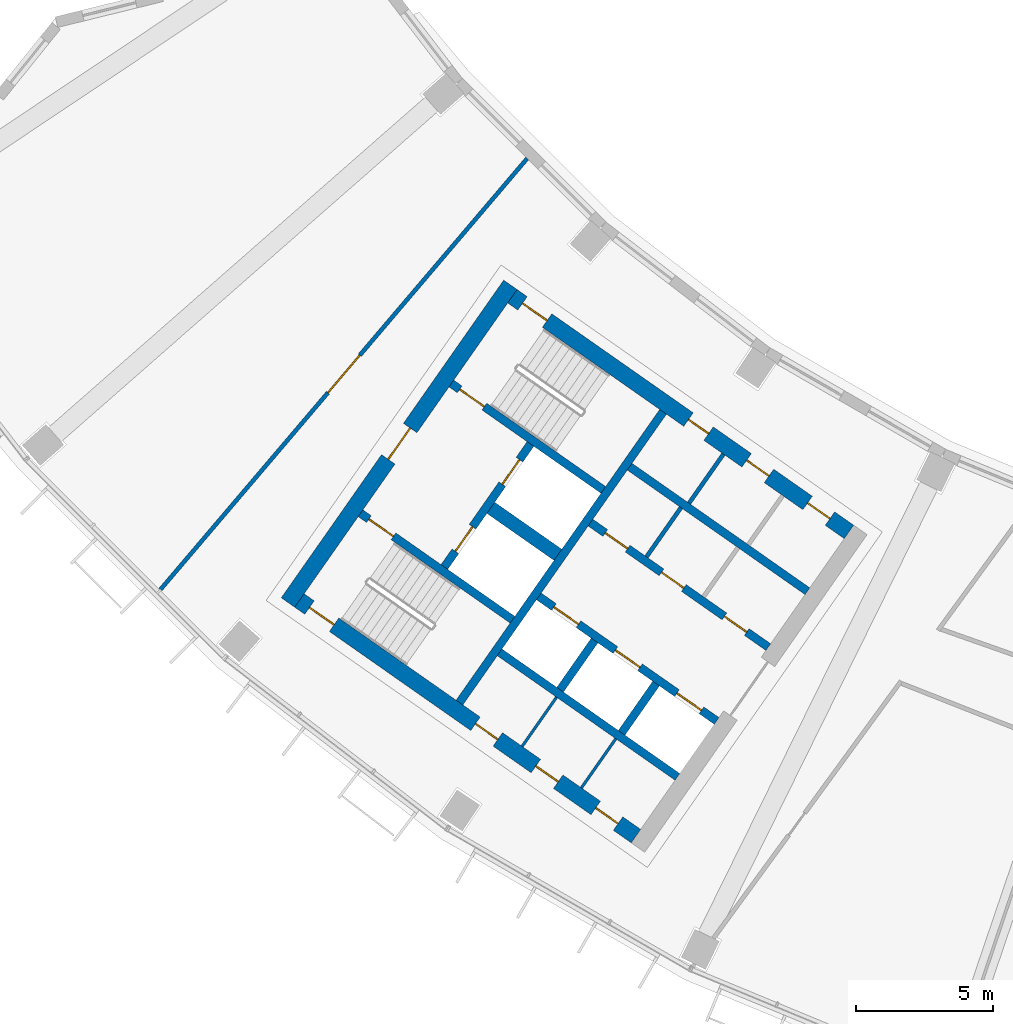
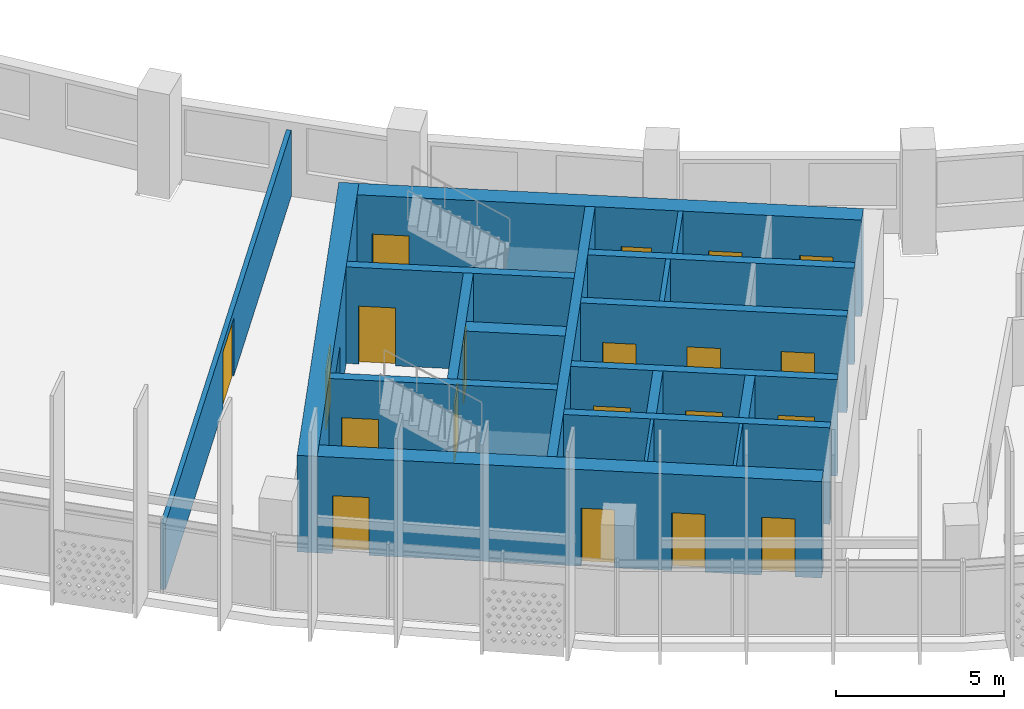
# One storey, part 2 of 30: 20 doors, 19 walls, 20 openings.
"""IFC4 building model written with IfcOpenShell, lengths in metres."""

from ifc_helpers import new_model, si_unit, direction, frame, frame_2d, origin, place, context, subcontext, project, spatial, rectangle, extrude, material, layer, layer_set, type_object, element, fill, save


model = new_model("IFC4")

# Units and contexts
model_context = context("Model", 3, precision=1e-05, world=origin(), true_north=direction((0.0, 1.0)))
body_context = subcontext(model_context, "Body", "Model", "MODEL_VIEW")
ifc_project = project(units=[si_unit("LENGTHUNIT", "METRE"), si_unit("AREAUNIT", "SQUARE_METRE"), si_unit("VOLUMEUNIT", "CUBIC_METRE"), si_unit("PLANEANGLEUNIT", "RADIAN"), si_unit("MASSUNIT", "GRAM", prefix="KILO")], contexts=[model_context])

# Site, building, storey
site_placement = place(None, origin())
site = spatial("IfcSite", under=ifc_project, at=site_placement, CompositionType="ELEMENT")
building_placement = place(site_placement, origin())
building = spatial("IfcBuilding", under=site, at=building_placement, Name="Qamariyya Broadcast Tower", CompositionType="ELEMENT")
storey_placement = place(building_placement, frame((0.0, 0.0, 203.699951171875)))
storey = spatial("IfcBuildingStorey", under=building, at=storey_placement, Name="L48", CompositionType="ELEMENT", Elevation=203.699951171875)

# Wall, opening, door
ifc_material_1 = material(Name="Concrete C60/75", Category="concrete")
ifc_layer_1 = layer(ifc_material_1, 0.60009765625)
ifc_layer_set_1 = layer_set([ifc_layer_1], Name="Core wall 600 mm Concrete C60/75")
wall_type_1 = type_object("IfcWallType", Name="Core wall 600 mm Concrete C60/75", PredefinedType="SHEAR", material=ifc_layer_set_1)
wall_1_placement = place(storey_placement, frame((-49.4833984375, -57.031494140625, 0.0), z_axis=(0.0, 0.0, 1.0), x_axis=(0.573560421458, 0.819163257805, 0.0)))
wall_1 = element("IfcWall", 1, at=wall_1_placement, inside=storey, type_object=wall_type_1, Name="k-W-L48-WH", PredefinedType="SHEAR", context=body_context, shape_type="SweptSolid", body=[
    extrude(rectangle(XDim=14.199951171875, YDim=0.60009765625, at=frame_2d((7.10009765625, 0.0))), origin(), (0.0, 0.0, 1.0), 3.5),
])
opening_1_placement = place(wall_1_placement, frame((6.39990234375, 0.0, 0.0)))
opening_1 = element("IfcOpeningElement", 2, at=opening_1_placement, cuts=wall_1, Name="Opening KD2-W1", PredefinedType="OPENING", context=body_context, shape_type="SweptSolid", body=[
    extrude(rectangle(XDim=1.39990234375, YDim=2.10009765625, at=frame_2d((0.699951171875, 1.050048828125))), frame((0.0, 0.31005859375, 0.0), z_axis=(0.0, -1.0, 0.0), x_axis=(1.0, 0.0, 0.0)), (0.0, 0.0, 1.0), 0.6201171875),
])
ifc_material_2 = material(Name="Steel fire-resisting door leaf", Category="steel")
door_type_1 = type_object("IfcDoorType", Name="Fire-fighting lobby door KD2", OperationType="DOUBLE_DOOR_SINGLE_SWING", PredefinedType="DOOR", material=ifc_material_2)
door_1_placement = place(opening_1_placement, origin())
door_1 = element("IfcDoor", 3, at=door_1_placement, inside=storey, type_object=door_type_1, Name="k-W-L48-WH-D16", OperationType="DOUBLE_DOOR_SINGLE_SWING", OverallHeight=2.10009765625, OverallWidth=1.39990234375, PredefinedType="DOOR", context=body_context, shape_type="SweptSolid", body=[
    extrude(rectangle(XDim=1.39990234375, YDim=2.10009765625, at=frame_2d((0.699951171875, 1.050048828125))), frame((0.0, 0.02490234375, 0.0), z_axis=(0.0, -1.0, 0.0), x_axis=(1.0, 0.0, 0.0)), (0.0, 0.0, 1.0), 0.050048828125),
])
fill(opening_1, door_1)

# Wall, openings, doors
wall_2_placement = place(storey_placement, frame((-28.940673828125, -54.447021484375, 0.0), z_axis=(0.0, 0.0, 1.0), x_axis=(-0.819153391756, 0.573574511963, 0.0)))
wall_2 = element("IfcWall", 4, at=wall_2_placement, inside=storey, type_object=wall_type_1, Name="k-W-L48-WI", PredefinedType="SHEAR", context=body_context, shape_type="SweptSolid", body=[
    extrude(rectangle(XDim=15.04541015625, YDim=0.60009765625, at=frame_2d((7.522705078125, 0.0))), origin(), (0.0, 0.0, 1.0), 3.5),
])
opening_2_placement = place(wall_2_placement, frame((0.85009765625, 0.0, 0.0)))
opening_2 = element("IfcOpeningElement", 5, at=opening_2_placement, cuts=wall_2, Name="Opening KD6-W3", PredefinedType="OPENING", context=body_context, shape_type="SweptSolid", body=[
    extrude(rectangle(XDim=1.0, YDim=2.10009765625, at=frame_2d((0.5, 1.050048828125))), frame((0.0, 0.31005859375, 0.0), z_axis=(0.0, -1.0, 0.0), x_axis=(1.0, 0.0, 0.0)), (0.0, 0.0, 1.0), 0.6201171875),
])
opening_3_placement = place(wall_2_placement, frame((3.574951171875, 0.0, 0.0)))
opening_3 = element("IfcOpeningElement", 6, at=opening_3_placement, cuts=wall_2, Name="Opening KD7-W1", PredefinedType="OPENING", context=body_context, shape_type="SweptSolid", body=[
    extrude(rectangle(XDim=1.0, YDim=2.10009765625, at=frame_2d((0.5, 1.050048828125))), frame((0.0, 0.31005859375, 0.0), z_axis=(0.0, -1.0, 0.0), x_axis=(1.0, 0.0, 0.0)), (0.0, 0.0, 1.0), 0.6201171875),
])
opening_4_placement = place(wall_2_placement, frame((6.27490234375, 0.0, 0.0)))
opening_4 = element("IfcOpeningElement", 7, at=opening_4_placement, cuts=wall_2, Name="Opening KD5-W1", PredefinedType="OPENING", context=body_context, shape_type="SweptSolid", body=[
    extrude(rectangle(XDim=0.89990234375, YDim=2.10009765625, at=frame_2d((0.449951171875, 1.050048828125))), frame((0.0, 0.31005859375, 0.0), z_axis=(0.0, -1.0, 0.0), x_axis=(1.0, 0.0, 0.0)), (0.0, 0.0, 1.0), 0.6201171875),
])
opening_5_placement = place(wall_2_placement, frame((13.495361328125, 0.0, 0.0)))
opening_5 = element("IfcOpeningElement", 8, at=opening_5_placement, cuts=wall_2, Name="Opening KD1-W1", PredefinedType="OPENING", context=body_context, shape_type="SweptSolid", body=[
    extrude(rectangle(XDim=1.10009765625, YDim=2.10009765625, at=frame_2d((0.550048828125, 1.050048828125))), frame((0.0, 0.31005859375, 0.0), z_axis=(0.0, -1.0, 0.0), x_axis=(1.0, 0.0, 0.0)), (0.0, 0.0, 1.0), 0.6201171875),
])
door_type_2 = type_object("IfcDoorType", Name="Accessible toilet door KD7", OperationType="SINGLE_SWING_LEFT", PredefinedType="DOOR", material=ifc_material_2)
door_2_placement = place(opening_3_placement, origin())
door_2 = element("IfcDoor", 9, at=door_2_placement, inside=storey, type_object=door_type_2, Name="k-W-L48-WI-D9", OperationType="SINGLE_SWING_RIGHT", OverallHeight=2.10009765625, OverallWidth=1.0, PredefinedType="DOOR", context=body_context, shape_type="SweptSolid", body=[
    extrude(rectangle(XDim=1.0, YDim=2.10009765625, at=frame_2d((0.5, 1.050048828125))), frame((0.0, 0.02490234375, 0.0), z_axis=(0.0, -1.0, 0.0), x_axis=(1.0, 0.0, 0.0)), (0.0, 0.0, 1.0), 0.050048828125),
])
fill(opening_3, door_2)
door_type_3 = type_object("IfcDoorType", Name="Core room door KD6", OperationType="SINGLE_SWING_LEFT", PredefinedType="DOOR", material=ifc_material_2)
door_3_placement = place(opening_2_placement, origin())
door_3 = element("IfcDoor", 10, at=door_3_placement, inside=storey, type_object=door_type_3, Name="k-W-L48-WI-D8", OperationType="SINGLE_SWING_LEFT", OverallHeight=2.10009765625, OverallWidth=1.0, PredefinedType="DOOR", context=body_context, shape_type="SweptSolid", body=[
    extrude(rectangle(XDim=1.0, YDim=2.10009765625, at=frame_2d((0.5, 1.050048828125))), frame((0.0, 0.02490234375, 0.0), z_axis=(0.0, -1.0, 0.0), x_axis=(1.0, 0.0, 0.0)), (0.0, 0.0, 1.0), 0.050048828125),
])
fill(opening_2, door_3)
door_type_4 = type_object("IfcDoorType", Name="Stair door KD1", OperationType="SINGLE_SWING_LEFT", PredefinedType="DOOR", material=ifc_material_2)
door_4_placement = place(opening_5_placement, origin())
door_4 = element("IfcDoor", 11, at=door_4_placement, inside=storey, type_object=door_type_4, Name="k-W-L48-WI-D17", OperationType="SINGLE_SWING_RIGHT", OverallHeight=2.10009765625, OverallWidth=1.10009765625, PredefinedType="DOOR", context=body_context, shape_type="SweptSolid", body=[
    extrude(rectangle(XDim=1.10009765625, YDim=2.10009765625, at=frame_2d((0.550048828125, 1.050048828125))), frame((0.0, 0.02490234375, 0.0), z_axis=(0.0, -1.0, 0.0), x_axis=(1.0, 0.0, 0.0)), (0.0, 0.0, 1.0), 0.050048828125),
])
fill(opening_5, door_4)
door_type_5 = type_object("IfcDoorType", Name="Toilet door KD5", OperationType="SINGLE_SWING_LEFT", PredefinedType="DOOR", material=ifc_material_2)
door_5_placement = place(opening_4_placement, origin())
door_5 = element("IfcDoor", 12, at=door_5_placement, inside=storey, type_object=door_type_5, Name="k-W-L48-WI-D10", OperationType="SINGLE_SWING_LEFT", OverallHeight=2.10009765625, OverallWidth=0.89990234375, PredefinedType="DOOR", context=body_context, shape_type="SweptSolid", body=[
    extrude(rectangle(XDim=0.89990234375, YDim=2.10009765625, at=frame_2d((0.449951171875, 1.050048828125))), frame((0.0, 0.02490234375, 0.0), z_axis=(0.0, -1.0, 0.0), x_axis=(1.0, 0.0, 0.0)), (0.0, 0.0, 1.0), 0.050048828125),
])
fill(opening_4, door_5)

wall_3_placement = place(storey_placement, frame((-36.7412109375, -65.58740234375, 0.0), z_axis=(0.0, 0.0, 1.0), x_axis=(-0.819153391756, 0.573574511963, 0.0)))
wall_3 = element("IfcWall", 13, at=wall_3_placement, inside=storey, type_object=wall_type_1, Name="k-W-L48-WO", PredefinedType="SHEAR", context=body_context, shape_type="SweptSolid", body=[
    extrude(rectangle(XDim=15.04541015625, YDim=0.60009765625, at=frame_2d((7.522705078125, 0.0))), origin(), (0.0, 0.0, 1.0), 3.5),
])
opening_6_placement = place(wall_3_placement, frame((0.800048828125, 0.0, 0.0)))
opening_6 = element("IfcOpeningElement", 14, at=opening_6_placement, cuts=wall_3, Name="Opening KD4-W2", PredefinedType="OPENING", context=body_context, shape_type="SweptSolid", body=[
    extrude(rectangle(XDim=1.0, YDim=2.10009765625, at=frame_2d((0.5, 1.050048828125))), frame((0.0, 0.31005859375, 0.0), z_axis=(0.0, -1.0, 0.0), x_axis=(1.0, 0.0, 0.0)), (0.0, 0.0, 1.0), 0.6201171875),
])
opening_7_placement = place(wall_3_placement, frame((3.47509765625, 0.0, 0.0)))
opening_7 = element("IfcOpeningElement", 15, at=opening_7_placement, cuts=wall_3, Name="Opening KD4-W3", PredefinedType="OPENING", context=body_context, shape_type="SweptSolid", body=[
    extrude(rectangle(XDim=1.0, YDim=2.10009765625, at=frame_2d((0.5, 1.050048828125))), frame((0.0, 0.31005859375, 0.0), z_axis=(0.0, -1.0, 0.0), x_axis=(1.0, 0.0, 0.0)), (0.0, 0.0, 1.0), 0.6201171875),
])
opening_8_placement = place(wall_3_placement, frame((6.175048828125, 0.0, 0.0)))
opening_8 = element("IfcOpeningElement", 16, at=opening_8_placement, cuts=wall_3, Name="Opening KD4-W4", PredefinedType="OPENING", context=body_context, shape_type="SweptSolid", body=[
    extrude(rectangle(XDim=1.0, YDim=2.10009765625, at=frame_2d((0.5, 1.050048828125))), frame((0.0, 0.31005859375, 0.0), z_axis=(0.0, -1.0, 0.0), x_axis=(1.0, 0.0, 0.0)), (0.0, 0.0, 1.0), 0.6201171875),
])
opening_9_placement = place(wall_3_placement, frame((13.495361328125, 0.0, 0.0)))
opening_9 = element("IfcOpeningElement", 17, at=opening_9_placement, cuts=wall_3, Name="Opening KD1-W3", PredefinedType="OPENING", context=body_context, shape_type="SweptSolid", body=[
    extrude(rectangle(XDim=1.10009765625, YDim=2.10009765625, at=frame_2d((0.550048828125, 1.050048828125))), frame((0.0, 0.31005859375, 0.0), z_axis=(0.0, -1.0, 0.0), x_axis=(1.0, 0.0, 0.0)), (0.0, 0.0, 1.0), 0.6201171875),
])
door_type_6 = type_object("IfcDoorType", Name="Riser and plant door KD4", OperationType="SINGLE_SWING_LEFT", PredefinedType="DOOR", material=ifc_material_2)
door_6_placement = place(opening_6_placement, origin())
door_6 = element("IfcDoor", 18, at=door_6_placement, inside=storey, type_object=door_type_6, Name="k-W-L48-WO-D11", OperationType="SINGLE_SWING_RIGHT", OverallHeight=2.10009765625, OverallWidth=1.0, PredefinedType="DOOR", context=body_context, shape_type="SweptSolid", body=[
    extrude(rectangle(XDim=1.0, YDim=2.10009765625, at=frame_2d((0.5, 1.050048828125))), frame((0.0, 0.02490234375, 0.0), z_axis=(0.0, -1.0, 0.0), x_axis=(1.0, 0.0, 0.0)), (0.0, 0.0, 1.0), 0.050048828125),
])
fill(opening_6, door_6)
door_7_placement = place(opening_7_placement, origin())
door_7 = element("IfcDoor", 19, at=door_7_placement, inside=storey, type_object=door_type_6, Name="k-W-L48-WO-D12", OperationType="SINGLE_SWING_LEFT", OverallHeight=2.10009765625, OverallWidth=1.0, PredefinedType="DOOR", context=body_context, shape_type="SweptSolid", body=[
    extrude(rectangle(XDim=1.0, YDim=2.10009765625, at=frame_2d((0.5, 1.050048828125))), frame((0.0, 0.02490234375, 0.0), z_axis=(0.0, -1.0, 0.0), x_axis=(1.0, 0.0, 0.0)), (0.0, 0.0, 1.0), 0.050048828125),
])
fill(opening_7, door_7)
door_8_placement = place(opening_8_placement, origin())
door_8 = element("IfcDoor", 20, at=door_8_placement, inside=storey, type_object=door_type_6, Name="k-W-L48-WO-D13", OperationType="SINGLE_SWING_RIGHT", OverallHeight=2.10009765625, OverallWidth=1.0, PredefinedType="DOOR", context=body_context, shape_type="SweptSolid", body=[
    extrude(rectangle(XDim=1.0, YDim=2.10009765625, at=frame_2d((0.5, 1.050048828125))), frame((0.0, 0.02490234375, 0.0), z_axis=(0.0, -1.0, 0.0), x_axis=(1.0, 0.0, 0.0)), (0.0, 0.0, 1.0), 0.050048828125),
])
fill(opening_8, door_8)
door_9_placement = place(opening_9_placement, origin())
door_9 = element("IfcDoor", 21, at=door_9_placement, inside=storey, type_object=door_type_4, Name="k-W-L48-WO-D19", OperationType="SINGLE_SWING_LEFT", OverallHeight=2.10009765625, OverallWidth=1.10009765625, PredefinedType="DOOR", context=body_context, shape_type="SweptSolid", body=[
    extrude(rectangle(XDim=1.10009765625, YDim=2.10009765625, at=frame_2d((0.550048828125, 1.050048828125))), frame((0.0, 0.02490234375, 0.0), z_axis=(0.0, -1.0, 0.0), x_axis=(1.0, 0.0, 0.0)), (0.0, 0.0, 1.0), 0.050048828125),
])
fill(opening_9, door_9)

# Wall, opening, door
ifc_material_3 = material(Name="Gypsum board partition")
ifc_layer_2 = layer(ifc_material_3, 0.14990234375)
ifc_layer_set_2 = layer_set([ifc_layer_2], Name="Corridor partition 150 EI 60")
wall_type_2 = type_object("IfcWallType", Name="Corridor partition 150 EI 60", PredefinedType="PARTITIONING", material=ifc_layer_set_2)
wall_4_placement = place(storey_placement, frame((-54.15283203125, -56.554931640625, 0.0), z_axis=(0.0, 0.0, 1.0), x_axis=(0.647962636986, 0.761672121762, 0.0)))
wall_4 = element("IfcWall", 22, at=wall_4_placement, inside=storey, type_object=wall_type_2, Name="Partition L48-001", PredefinedType="PARTITIONING", context=body_context, shape_type="SweptSolid", body=[
    extrude(rectangle(XDim=20.723388671875, YDim=0.14990234375, at=frame_2d((10.36181640625, 0.0))), origin(), (0.0, 0.0, 1.0), 2.400146484375),
])
opening_10_placement = place(wall_4_placement, frame((9.461669921875, 0.0, 0.0)))
opening_10 = element("IfcOpeningElement", 23, at=opening_10_placement, cuts=wall_4, Name="Opening L48-D15", PredefinedType="OPENING", context=body_context, shape_type="SweptSolid", body=[
    extrude(rectangle(XDim=1.800048828125, YDim=2.10009765625, at=frame_2d((0.89990234375, 1.050048828125))), frame((0.0, 0.0849609375, 0.0), z_axis=(0.0, -1.0, 0.0), x_axis=(1.0, 0.0, 0.0)), (0.0, 0.0, 1.0), 0.169921875),
])
ifc_material_4 = material(Name="Timber fire door leaf", Category="wood")
door_type_7 = type_object("IfcDoorType", Name="Double fire door 1800 x 2100 FD60", OperationType="NOTDEFINED", PredefinedType="DOOR", material=ifc_material_4)
door_10_placement = place(opening_10_placement, origin())
door_10 = element("IfcDoor", 24, at=door_10_placement, inside=storey, type_object=door_type_7, Name="Door L48-D15", OperationType="DOUBLE_DOOR_SINGLE_SWING", OverallHeight=2.10009765625, OverallWidth=1.800048828125, PredefinedType="DOOR", context=body_context, shape_type="SweptSolid", body=[
    extrude(rectangle(XDim=1.800048828125, YDim=2.10009765625, at=frame_2d((0.89990234375, 1.050048828125))), frame((0.0, 0.02490234375, 0.0), z_axis=(0.0, -1.0, 0.0), x_axis=(1.0, 0.0, 0.0)), (0.0, 0.0, 1.0), 0.050048828125),
])
fill(opening_10, door_10)

# Walls
ifc_layer_3 = layer(ifc_material_1, 0.5)
ifc_layer_set_3 = layer_set([ifc_layer_3], Name="Fire-fighting lobby divider wall 500 mm Concrete C60/75")
wall_type_3 = type_object("IfcWallType", Name="Fire-fighting lobby divider wall 500 mm Concrete C60/75", PredefinedType="SOLIDWALL", material=ifc_layer_set_3)
wall_5_placement = place(storey_placement, frame((-39.59912109375, -55.28515625, 0.0), z_axis=(0.0, 0.0, 1.0), x_axis=(-0.819136323161, 0.573598887793, 0.0)))
element("IfcWall", 25, at=wall_5_placement, inside=storey, type_object=wall_type_3, Name="k-W-L48-FD", PredefinedType="SOLIDWALL", context=body_context, shape_type="SweptSolid", body=[
    extrude(rectangle(XDim=2.999755859375, YDim=0.5, at=frame_2d((1.5, 0.0))), origin(), (0.0, 0.0, 1.0), 3.5),
])
ifc_material_5 = material(Name="Gypsum board partition on steel studs", Category="steel")
ifc_layer_4 = layer(ifc_material_5, 0.14990234375)
ifc_layer_set_4 = layer_set([ifc_layer_4], Name="Gypsum board partition 150 mm")
wall_type_4 = type_object("IfcWallType", Name="Gypsum board partition 150 mm", PredefinedType="PARTITIONING", material=ifc_layer_set_4)
wall_6_placement = place(storey_placement, frame((-36.35498046875, -55.359375, 0.0), z_axis=(0.0, 0.0, 1.0), x_axis=(0.573581496053, 0.819148501424, 0.0)))
element("IfcWall", 26, at=wall_6_placement, inside=storey, type_object=wall_type_4, Name="k-W-L48-NC555", PredefinedType="PARTITIONING", context=body_context, shape_type="SweptSolid", body=[
    extrude(rectangle(XDim=2.2001953125, YDim=0.14990234375, at=frame_2d((1.10009765625, 0.0))), origin(), (0.0, 0.0, 1.0), 3.5),
])
wall_7_placement = place(storey_placement, frame((-34.798095703125, -53.3974609375, 0.0), z_axis=(0.0, 0.0, 1.0), x_axis=(0.573633636671, 0.819111989218, 0.0)))
element("IfcWall", 27, at=wall_7_placement, inside=storey, type_object=wall_type_4, Name="k-W-L48-NP540", PredefinedType="PARTITIONING", context=body_context, shape_type="SweptSolid", body=[
    extrude(rectangle(XDim=2.199951171875, YDim=0.14990234375, at=frame_2d((1.10009765625, 0.0))), origin(), (0.0, 0.0, 1.0), 3.5),
])
ifc_layer_5 = layer(ifc_material_1, 0.300048828125)
ifc_layer_set_5 = layer_set([ifc_layer_5], Name="Lift shaft wall 300 mm Concrete C60/75")
wall_type_5 = type_object("IfcWallType", Name="Lift shaft wall 300 mm Concrete C60/75", PredefinedType="SOLIDWALL", material=ifc_layer_set_5)
wall_8_placement = place(storey_placement, frame((-43.204345703125, -60.69580078125, 0.0), z_axis=(0.0, 0.0, 1.0), x_axis=(0.573571992966, 0.819155155563, 0.0)))
element("IfcWall", 28, at=wall_8_placement, inside=storey, type_object=wall_type_5, Name="k-W-L48-WL", PredefinedType="SOLIDWALL", context=body_context, shape_type="SweptSolid", body=[
    extrude(rectangle(XDim=13.000244140625, YDim=0.300048828125, at=frame_2d((6.5, 0.0))), origin(), (0.0, 0.0, 1.0), 3.5),
])

# Wall, openings, doors
wall_9_placement = place(storey_placement, frame((-31.89453125, -58.66552734375, 0.0), z_axis=(0.0, 0.0, 1.0), x_axis=(-0.819166993208, 0.573555086491, 0.0)))
wall_9 = element("IfcWall", 29, at=wall_9_placement, inside=storey, type_object=wall_type_5, Name="k-W-L48-NF0", PredefinedType="SOLIDWALL", context=body_context, shape_type="SweptSolid", body=[
    extrude(rectangle(XDim=7.9501953125, YDim=0.300048828125, at=frame_2d((3.97509765625, 0.0))), origin(), (0.0, 0.0, 1.0), 3.5),
])
opening_11_placement = place(wall_9_placement, frame((0.96240234375, 0.0, 0.0)))
opening_11 = element("IfcOpeningElement", 30, at=opening_11_placement, cuts=wall_9, Name="Opening KD4-W1", PredefinedType="OPENING", context=body_context, shape_type="SweptSolid", body=[
    extrude(rectangle(XDim=1.0, YDim=2.10009765625, at=frame_2d((0.5, 1.050048828125))), frame((0.0, 0.159912109375, 0.0), z_axis=(0.0, -1.0, 0.0), x_axis=(1.0, 0.0, 0.0)), (0.0, 0.0, 1.0), 0.320068359375),
])
opening_12_placement = place(wall_9_placement, frame((3.77490234375, 0.0, 0.0)))
opening_12 = element("IfcOpeningElement", 31, at=opening_12_placement, cuts=wall_9, Name="Opening KD6-W1", PredefinedType="OPENING", context=body_context, shape_type="SweptSolid", body=[
    extrude(rectangle(XDim=1.0, YDim=2.10009765625, at=frame_2d((0.5, 1.050048828125))), frame((0.0, 0.159912109375, 0.0), z_axis=(0.0, -1.0, 0.0), x_axis=(1.0, 0.0, 0.0)), (0.0, 0.0, 1.0), 0.320068359375),
])
opening_13_placement = place(wall_9_placement, frame((6.28759765625, 0.0, 0.0)))
opening_13 = element("IfcOpeningElement", 32, at=opening_13_placement, cuts=wall_9, Name="Opening KD6-W2", PredefinedType="OPENING", context=body_context, shape_type="SweptSolid", body=[
    extrude(rectangle(XDim=1.0, YDim=2.10009765625, at=frame_2d((0.5, 1.050048828125))), frame((0.0, 0.159912109375, 0.0), z_axis=(0.0, -1.0, 0.0), x_axis=(1.0, 0.0, 0.0)), (0.0, 0.0, 1.0), 0.320068359375),
])
door_11_placement = place(opening_12_placement, origin())
door_11 = element("IfcDoor", 33, at=door_11_placement, inside=storey, type_object=door_type_3, Name="k-W-L48-NF0-D3", OperationType="SINGLE_SWING_RIGHT", OverallHeight=2.10009765625, OverallWidth=1.0, PredefinedType="DOOR", context=body_context, shape_type="SweptSolid", body=[
    extrude(rectangle(XDim=1.0, YDim=2.10009765625, at=frame_2d((0.5, 1.050048828125))), frame((0.0, 0.02490234375, 0.0), z_axis=(0.0, -1.0, 0.0), x_axis=(1.0, 0.0, 0.0)), (0.0, 0.0, 1.0), 0.050048828125),
])
fill(opening_12, door_11)
door_12_placement = place(opening_13_placement, origin())
door_12 = element("IfcDoor", 34, at=door_12_placement, inside=storey, type_object=door_type_3, Name="k-W-L48-NF0-D4", OperationType="SINGLE_SWING_LEFT", OverallHeight=2.10009765625, OverallWidth=1.0, PredefinedType="DOOR", context=body_context, shape_type="SweptSolid", body=[
    extrude(rectangle(XDim=1.0, YDim=2.10009765625, at=frame_2d((0.5, 1.050048828125))), frame((0.0, 0.02490234375, 0.0), z_axis=(0.0, -1.0, 0.0), x_axis=(1.0, 0.0, 0.0)), (0.0, 0.0, 1.0), 0.050048828125),
])
fill(opening_13, door_12)
door_13_placement = place(opening_11_placement, origin())
door_13 = element("IfcDoor", 35, at=door_13_placement, inside=storey, type_object=door_type_6, Name="k-W-L48-NF0-D2", OperationType="SINGLE_SWING_LEFT", OverallHeight=2.10009765625, OverallWidth=1.0, PredefinedType="DOOR", context=body_context, shape_type="SweptSolid", body=[
    extrude(rectangle(XDim=1.0, YDim=2.10009765625, at=frame_2d((0.5, 1.050048828125))), frame((0.0, 0.02490234375, 0.0), z_axis=(0.0, -1.0, 0.0), x_axis=(1.0, 0.0, 0.0)), (0.0, 0.0, 1.0), 0.050048828125),
])
fill(opening_11, door_13)

# Wall
wall_10_placement = place(storey_placement, frame((-30.460693359375, -56.61767578125, 0.0), z_axis=(0.0, 0.0, 1.0), x_axis=(-0.819142461705, 0.573590121456, 0.0)))
element("IfcWall", 36, at=wall_10_placement, inside=storey, type_object=wall_type_5, Name="k-W-L48-NB0", PredefinedType="SOLIDWALL", context=body_context, shape_type="SweptSolid", body=[
    extrude(rectangle(XDim=7.949951171875, YDim=0.300048828125, at=frame_2d((3.97509765625, 0.0))), origin(), (0.0, 0.0, 1.0), 3.5),
])

# Wall, openings, doors
wall_11_placement = place(storey_placement, frame((-33.787353515625, -61.368896484375, 0.0), z_axis=(0.0, 0.0, 1.0), x_axis=(-0.819152564888, 0.573575692858, 0.0)))
wall_11 = element("IfcWall", 37, at=wall_11_placement, inside=storey, type_object=wall_type_5, Name="k-W-L48-SF0", PredefinedType="SOLIDWALL", context=body_context, shape_type="SweptSolid", body=[
    extrude(rectangle(XDim=7.9501953125, YDim=0.300048828125, at=frame_2d((3.97509765625, 0.0))), origin(), (0.0, 0.0, 1.0), 3.5),
])
opening_14_placement = place(wall_11_placement, frame((0.675048828125, 0.0, 0.0)))
opening_14 = element("IfcOpeningElement", 38, at=opening_14_placement, cuts=wall_11, Name="Opening LD", PredefinedType="OPENING", context=body_context, shape_type="SweptSolid", body=[
    extrude(rectangle(XDim=1.10009765625, YDim=2.10009765625, at=frame_2d((0.550048828125, 1.050048828125))), frame((0.0, 0.159912109375, 0.0), z_axis=(0.0, -1.0, 0.0), x_axis=(1.0, 0.0, 0.0)), (0.0, 0.0, 1.0), 0.320068359375),
])
opening_15_placement = place(wall_11_placement, frame((3.425048828125, 0.0, 0.0)))
opening_15 = element("IfcOpeningElement", 39, at=opening_15_placement, cuts=wall_11, Name="Opening LD", PredefinedType="OPENING", context=body_context, shape_type="SweptSolid", body=[
    extrude(rectangle(XDim=1.10009765625, YDim=2.10009765625, at=frame_2d((0.550048828125, 1.050048828125))), frame((0.0, 0.159912109375, 0.0), z_axis=(0.0, -1.0, 0.0), x_axis=(1.0, 0.0, 0.0)), (0.0, 0.0, 1.0), 0.320068359375),
])
opening_16_placement = place(wall_11_placement, frame((6.175048828125, 0.0, 0.0)))
opening_16 = element("IfcOpeningElement", 40, at=opening_16_placement, cuts=wall_11, Name="Opening LD", PredefinedType="OPENING", context=body_context, shape_type="SweptSolid", body=[
    extrude(rectangle(XDim=1.10009765625, YDim=2.10009765625, at=frame_2d((0.550048828125, 1.050048828125))), frame((0.0, 0.159912109375, 0.0), z_axis=(0.0, -1.0, 0.0), x_axis=(1.0, 0.0, 0.0)), (0.0, 0.0, 1.0), 0.320068359375),
])
door_type_8 = type_object("IfcDoorType", Name="Lift landing door LD", OperationType="DOUBLE_DOOR_SLIDING", PredefinedType="DOOR", material=ifc_material_2)
door_14_placement = place(opening_14_placement, origin())
door_14 = element("IfcDoor", 41, at=door_14_placement, inside=storey, type_object=door_type_8, Name="k-W-L48-SF0-D5", OperationType="DOUBLE_DOOR_SLIDING", OverallHeight=2.10009765625, OverallWidth=1.10009765625, PredefinedType="DOOR", context=body_context, shape_type="SweptSolid", body=[
    extrude(rectangle(XDim=1.10009765625, YDim=2.10009765625, at=frame_2d((0.550048828125, 1.050048828125))), frame((0.0, 0.02490234375, 0.0), z_axis=(0.0, -1.0, 0.0), x_axis=(1.0, 0.0, 0.0)), (0.0, 0.0, 1.0), 0.050048828125),
])
fill(opening_14, door_14)
door_15_placement = place(opening_15_placement, origin())
door_15 = element("IfcDoor", 42, at=door_15_placement, inside=storey, type_object=door_type_8, Name="k-W-L48-SF0-D6", OperationType="DOUBLE_DOOR_SLIDING", OverallHeight=2.10009765625, OverallWidth=1.10009765625, PredefinedType="DOOR", context=body_context, shape_type="SweptSolid", body=[
    extrude(rectangle(XDim=1.10009765625, YDim=2.10009765625, at=frame_2d((0.550048828125, 1.050048828125))), frame((0.0, 0.02490234375, 0.0), z_axis=(0.0, -1.0, 0.0), x_axis=(1.0, 0.0, 0.0)), (0.0, 0.0, 1.0), 0.050048828125),
])
fill(opening_15, door_15)
door_16_placement = place(opening_16_placement, origin())
door_16 = element("IfcDoor", 43, at=door_16_placement, inside=storey, type_object=door_type_8, Name="k-W-L48-SF0-D7", OperationType="DOUBLE_DOOR_SLIDING", OverallHeight=2.10009765625, OverallWidth=1.10009765625, PredefinedType="DOOR", context=body_context, shape_type="SweptSolid", body=[
    extrude(rectangle(XDim=1.10009765625, YDim=2.10009765625, at=frame_2d((0.550048828125, 1.050048828125))), frame((0.0, 0.02490234375, 0.0), z_axis=(0.0, -1.0, 0.0), x_axis=(1.0, 0.0, 0.0)), (0.0, 0.0, 1.0), 0.050048828125),
])
fill(opening_16, door_16)

# Walls
wall_12_placement = place(storey_placement, frame((-35.22119140625, -63.41650390625, 0.0), z_axis=(0.0, 0.0, 1.0), x_axis=(-0.819166993208, 0.573555086491, 0.0)))
element("IfcWall", 44, at=wall_12_placement, inside=storey, type_object=wall_type_5, Name="k-W-L48-SB0", PredefinedType="SOLIDWALL", context=body_context, shape_type="SweptSolid", body=[
    extrude(rectangle(XDim=7.9501953125, YDim=0.300048828125, at=frame_2d((3.97509765625, 0.0))), origin(), (0.0, 0.0, 1.0), 3.5),
])
wall_13_placement = place(storey_placement, frame((-36.003173828125, -60.000244140625, 0.0), z_axis=(0.0, 0.0, 1.0), x_axis=(-0.573581496053, -0.819148501424, 0.0)))
element("IfcWall", 45, at=wall_13_placement, inside=storey, type_object=wall_type_5, Name="k-W-L48-SD0", PredefinedType="SOLIDWALL", context=body_context, shape_type="SweptSolid", body=[
    extrude(rectangle(XDim=2.2001953125, YDim=0.300048828125, at=frame_2d((1.10009765625, 0.0))), origin(), (0.0, 0.0, 1.0), 3.5),
])
wall_14_placement = place(storey_placement, frame((-38.255859375, -58.423095703125, 0.0), z_axis=(0.0, 0.0, 1.0), x_axis=(-0.573633636671, -0.819111989218, 0.0)))
element("IfcWall", 46, at=wall_14_placement, inside=storey, type_object=wall_type_5, Name="k-W-L48-SD1", PredefinedType="SOLIDWALL", context=body_context, shape_type="SweptSolid", body=[
    extrude(rectangle(XDim=2.199951171875, YDim=0.300048828125, at=frame_2d((1.10009765625, 0.0))), origin(), (0.0, 0.0, 1.0), 3.5),
])

# Wall, opening, door
wall_15_placement = place(storey_placement, frame((-37.935546875, -52.90966796875, 0.0), z_axis=(0.0, 0.0, 1.0), x_axis=(-0.819147518138, 0.57358290031, 0.0)))
wall_15 = element("IfcWall", 47, at=wall_15_placement, inside=storey, type_object=wall_type_5, Name="k-W-L48-NW", PredefinedType="SOLIDWALL", context=body_context, shape_type="SweptSolid", body=[
    extrude(rectangle(XDim=6.79541015625, YDim=0.300048828125, at=frame_2d((3.397705078125, 0.0))), origin(), (0.0, 0.0, 1.0), 3.5),
])
opening_17_placement = place(wall_15_placement, frame((5.3203125, 0.0, 0.0)))
opening_17 = element("IfcOpeningElement", 48, at=opening_17_placement, cuts=wall_15, Name="Opening KD1-W2", PredefinedType="OPENING", context=body_context, shape_type="SweptSolid", body=[
    extrude(rectangle(XDim=1.10009765625, YDim=2.10009765625, at=frame_2d((0.550048828125, 1.050048828125))), frame((0.0, 0.159912109375, 0.0), z_axis=(0.0, -1.0, 0.0), x_axis=(1.0, 0.0, 0.0)), (0.0, 0.0, 1.0), 0.320068359375),
])
door_17_placement = place(opening_17_placement, origin())
door_17 = element("IfcDoor", 49, at=door_17_placement, inside=storey, type_object=door_type_4, Name="k-W-L48-NW-D18", OperationType="SINGLE_SWING_LEFT", OverallHeight=2.10009765625, OverallWidth=1.10009765625, PredefinedType="DOOR", context=body_context, shape_type="SweptSolid", body=[
    extrude(rectangle(XDim=1.10009765625, YDim=2.10009765625, at=frame_2d((0.550048828125, 1.050048828125))), frame((0.0, 0.02490234375, 0.0), z_axis=(0.0, -1.0, 0.0), x_axis=(1.0, 0.0, 0.0)), (0.0, 0.0, 1.0), 0.050048828125),
])
fill(opening_17, door_17)

wall_16_placement = place(storey_placement, frame((-41.262451171875, -57.66064453125, 0.0), z_axis=(0.0, 0.0, 1.0), x_axis=(-0.819164398642, 0.573558792102, 0.0)))
wall_16 = element("IfcWall", 50, at=wall_16_placement, inside=storey, type_object=wall_type_5, Name="k-W-L48-SW", PredefinedType="SOLIDWALL", context=body_context, shape_type="SweptSolid", body=[
    extrude(rectangle(XDim=6.795166015625, YDim=0.300048828125, at=frame_2d((3.3974609375, 0.0))), origin(), (0.0, 0.0, 1.0), 3.5),
])
opening_18_placement = place(wall_16_placement, frame((5.3203125, 0.0, 0.0)))
opening_18 = element("IfcOpeningElement", 51, at=opening_18_placement, cuts=wall_16, Name="Opening KD1-W4", PredefinedType="OPENING", context=body_context, shape_type="SweptSolid", body=[
    extrude(rectangle(XDim=1.10009765625, YDim=2.10009765625, at=frame_2d((0.550048828125, 1.050048828125))), frame((0.0, 0.159912109375, 0.0), z_axis=(0.0, -1.0, 0.0), x_axis=(1.0, 0.0, 0.0)), (0.0, 0.0, 1.0), 0.320068359375),
])
door_18_placement = place(opening_18_placement, origin())
door_18 = element("IfcDoor", 52, at=door_18_placement, inside=storey, type_object=door_type_4, Name="k-W-L48-SW-D20", OperationType="SINGLE_SWING_LEFT", OverallHeight=2.10009765625, OverallWidth=1.10009765625, PredefinedType="DOOR", context=body_context, shape_type="SweptSolid", body=[
    extrude(rectangle(XDim=1.10009765625, YDim=2.10009765625, at=frame_2d((0.550048828125, 1.050048828125))), frame((0.0, 0.02490234375, 0.0), z_axis=(0.0, -1.0, 0.0), x_axis=(1.0, 0.0, 0.0)), (0.0, 0.0, 1.0), 0.050048828125),
])
fill(opening_18, door_18)

# Wall, openings, doors
wall_17_placement = place(storey_placement, frame((-43.756591796875, -55.731201171875, 0.0), z_axis=(0.0, 0.0, 1.0), x_axis=(0.573536818435, 0.819179783625, 0.0)))
wall_17 = element("IfcWall", 53, at=wall_17_placement, inside=storey, type_object=wall_type_5, Name="k-W-L48-FF", PredefinedType="SOLIDWALL", context=body_context, shape_type="SweptSolid", body=[
    extrude(rectangle(XDim=5.500244140625, YDim=0.300048828125, at=frame_2d((2.75, 0.0))), origin(), (0.0, 0.0, 1.0), 3.5),
])
opening_19_placement = place(wall_17_placement, frame((0.699951171875, 0.0, 0.0)))
opening_19 = element("IfcOpeningElement", 54, at=opening_19_placement, cuts=wall_17, Name="Opening LD", PredefinedType="OPENING", context=body_context, shape_type="SweptSolid", body=[
    extrude(rectangle(XDim=1.10009765625, YDim=2.10009765625, at=frame_2d((0.550048828125, 1.050048828125))), frame((0.0, 0.159912109375, 0.0), z_axis=(0.0, -1.0, 0.0), x_axis=(1.0, 0.0, 0.0)), (0.0, 0.0, 1.0), 0.320068359375),
])
opening_20_placement = place(wall_17_placement, frame((3.699951171875, 0.0, 0.0)))
opening_20 = element("IfcOpeningElement", 55, at=opening_20_placement, cuts=wall_17, Name="Opening LD", PredefinedType="OPENING", context=body_context, shape_type="SweptSolid", body=[
    extrude(rectangle(XDim=1.10009765625, YDim=2.10009765625, at=frame_2d((0.550048828125, 1.050048828125))), frame((0.0, 0.159912109375, 0.0), z_axis=(0.0, -1.0, 0.0), x_axis=(1.0, 0.0, 0.0)), (0.0, 0.0, 1.0), 0.320068359375),
])
door_19_placement = place(opening_19_placement, origin())
door_19 = element("IfcDoor", 56, at=door_19_placement, inside=storey, type_object=door_type_8, Name="k-W-L48-FF-D14", OperationType="DOUBLE_DOOR_SLIDING", OverallHeight=2.10009765625, OverallWidth=1.10009765625, PredefinedType="DOOR", context=body_context, shape_type="SweptSolid", body=[
    extrude(rectangle(XDim=1.10009765625, YDim=2.10009765625, at=frame_2d((0.550048828125, 1.050048828125))), frame((0.0, 0.02490234375, 0.0), z_axis=(0.0, -1.0, 0.0), x_axis=(1.0, 0.0, 0.0)), (0.0, 0.0, 1.0), 0.050048828125),
])
fill(opening_19, door_19)
door_20_placement = place(opening_20_placement, origin())
door_20 = element("IfcDoor", 57, at=door_20_placement, inside=storey, type_object=door_type_8, Name="k-W-L48-FF-D15", OperationType="DOUBLE_DOOR_SLIDING", OverallHeight=2.10009765625, OverallWidth=1.10009765625, PredefinedType="DOOR", context=body_context, shape_type="SweptSolid", body=[
    extrude(rectangle(XDim=1.10009765625, YDim=2.10009765625, at=frame_2d((0.550048828125, 1.050048828125))), frame((0.0, 0.02490234375, 0.0), z_axis=(0.0, -1.0, 0.0), x_axis=(1.0, 0.0, 0.0)), (0.0, 0.0, 1.0), 0.050048828125),
])
fill(opening_20, door_20)

# Walls
ifc_material_6 = material(Name="Fire-rated gypsum shaft liner on steel studs", Category="steel")
ifc_layer_6 = layer(ifc_material_6, 0.10009765625)
ifc_layer_set_6 = layer_set([ifc_layer_6], Name="Riser wall 100 mm")
wall_type_6 = type_object("IfcWallType", Name="Riser wall 100 mm", PredefinedType="PLUMBINGWALL", material=ifc_layer_set_6)
wall_18_placement = place(storey_placement, frame((-37.47802734375, -62.01953125, 0.0), z_axis=(0.0, 0.0, 1.0), x_axis=(-0.573581496053, -0.819148501424, 0.0)))
element("IfcWall", 58, at=wall_18_placement, inside=storey, type_object=wall_type_6, Name="k-W-L48-SP265", PredefinedType="PLUMBINGWALL", context=body_context, shape_type="SweptSolid", body=[
    extrude(rectangle(XDim=2.2001953125, YDim=0.10009765625, at=frame_2d((1.10009765625, 0.0))), origin(), (0.0, 0.0, 1.0), 3.5),
])
wall_19_placement = place(storey_placement, frame((-39.64892578125, -60.49951171875, 0.0), z_axis=(0.0, 0.0, 1.0), x_axis=(-0.573507030513, -0.819200638399, 0.0)))
element("IfcWall", 59, at=wall_19_placement, inside=storey, type_object=wall_type_6, Name="k-W-L48-SP530", PredefinedType="PLUMBINGWALL", context=body_context, shape_type="SweptSolid", body=[
    extrude(rectangle(XDim=2.199951171875, YDim=0.10009765625, at=frame_2d((1.10009765625, 0.0))), origin(), (0.0, 0.0, 1.0), 3.5),
])

save(model, "model.ifc")
